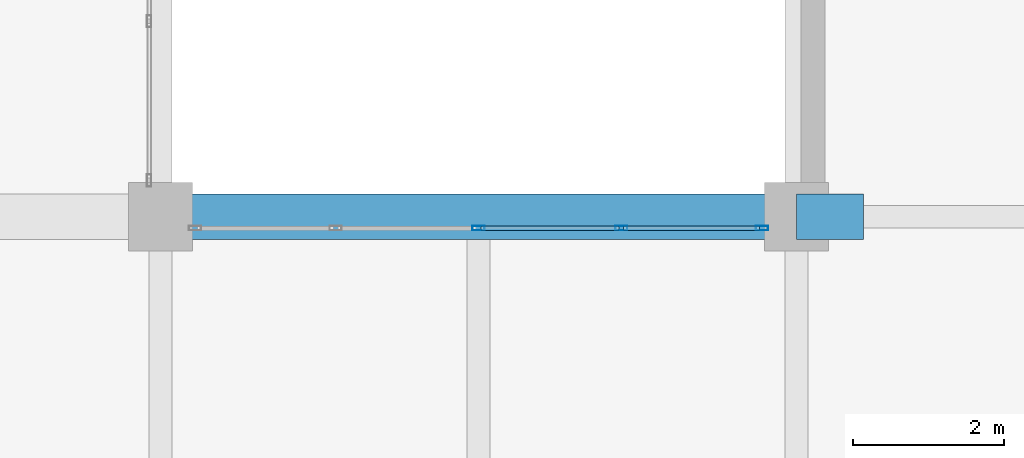
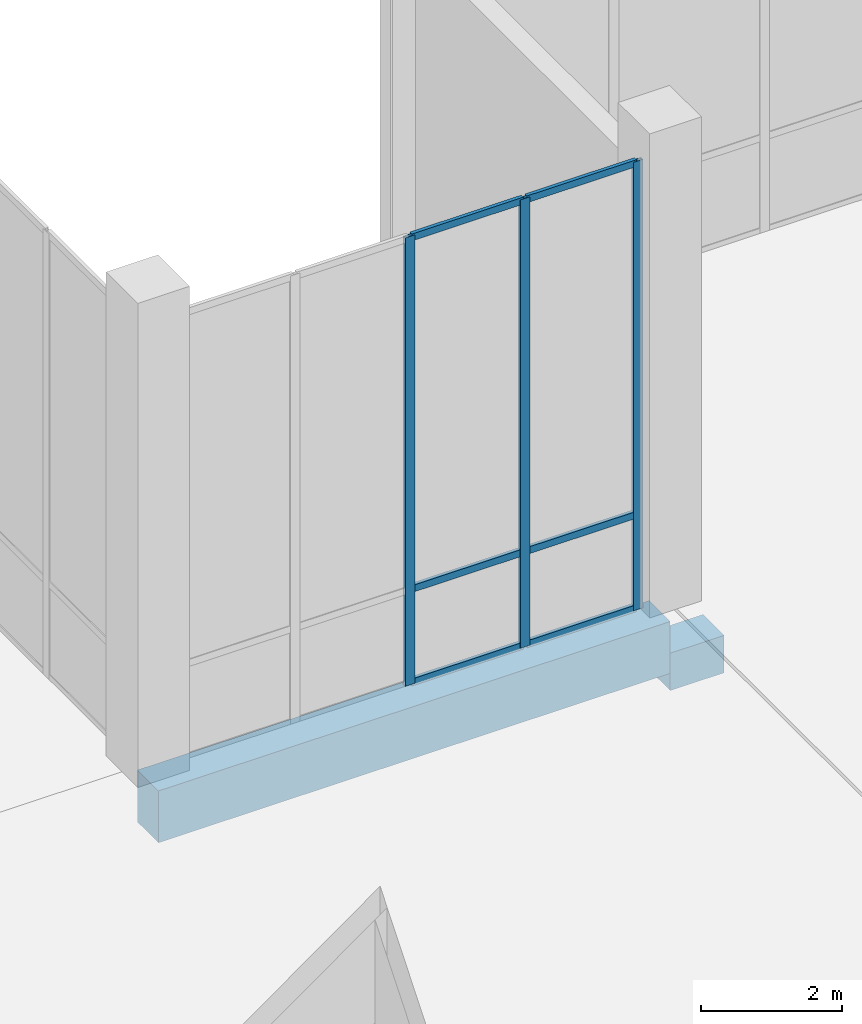
# One storey, part 31 of 131: 9 members, 2 beams, 1 element without a shape of its own.
"""IFC4 building model written with IfcOpenShell, lengths in metres."""

from ifc_helpers import new_model, si_unit, direction, frame, origin, origin_2d, place, context, subcontext, project, spatial, rectangle, hollow_rectangle, extrude, material, material_profile, profile_set, type_object, element, aggregate, save


model = new_model("IFC4")

# Units and contexts
model_context = context("Model", 3, precision=1e-05, world=origin(), true_north=direction((0.0, 1.0)))
body_context = subcontext(model_context, "Body", "Model", "MODEL_VIEW")
ifc_project = project(units=[si_unit("LENGTHUNIT", "METRE"), si_unit("AREAUNIT", "SQUARE_METRE"), si_unit("VOLUMEUNIT", "CUBIC_METRE"), si_unit("PLANEANGLEUNIT", "RADIAN"), si_unit("MASSUNIT", "GRAM", prefix="KILO")], contexts=[model_context])

# Site, building, storey
site_placement = place(None, origin())
site = spatial("IfcSite", under=ifc_project, at=site_placement, CompositionType="ELEMENT")
building_placement = place(site_placement, origin())
building = spatial("IfcBuilding", under=site, at=building_placement, Name="Veltarok Museum of Natural Sciences", CompositionType="ELEMENT")
storey_placement = place(building_placement, origin())
storey = spatial("IfcBuildingStorey", under=building, at=storey_placement, Name="L00", CompositionType="ELEMENT", Elevation=0.0)

# Curtain wall, members
ifc_material_1 = material(Name="Low-iron triple insulated glass", Category="glass")
curtain_wall_type = type_object("IfcCurtainWallType", Name="Curtain Wall System CW-V1CN-L00-0-755x778 (CW-V1CN L00 755x778cm)", PredefinedType="NOTDEFINED", material=ifc_material_1)
curtain_wall_placement = place(storey_placement, origin())
curtain_wall = element("IfcCurtainWall", 1, at=curtain_wall_placement, inside=storey, type_object=curtain_wall_type, Name="Curtain Wall CW-V1CN-L00-0-755x778 CW-0156", PredefinedType="NOTDEFINED")
ifc_material_2 = material(Name="Thermally broken anodised aluminium", Category="aluminium")
ifc_material_profile_1 = material_profile(ifc_material_2, hollow_rectangle(XDim=0.06005859375, YDim=0.1201171875, WallThickness=0.0048828125, at=origin_2d()), Name="CW TRANSOM 60x120x5")
ifc_profile_set_1 = profile_set([ifc_material_profile_1], Name="Thermally broken anodised aluminium")
member_type_1 = type_object("IfcMemberType", Name="Curtain Wall Horizontal Transom 60x120x5", PredefinedType="USERDEFINED", material=ifc_profile_set_1)
member_1_placement = place(storey_placement, frame((106.715087890625, 19.050048828125, 0.028076171875), z_axis=(-1.0, 0.0, 0.0), x_axis=(0.0, -1.0, 0.0)))
member_1 = element("IfcMember", 2, at=member_1_placement, type_object=member_type_1, Name="CW-V1CN-L00-0-755x778 transom 1.1", ObjectType="TRANSOM", PredefinedType="USERDEFINED", context=body_context, shape_type="SweptSolid", body=[
    extrude(hollow_rectangle(XDim=0.06005859375, YDim=0.1201171875, WallThickness=0.0048828125, at=origin_2d()), origin(), (0.0, 0.0, 1.0), 1.797607421875),
])
member_2_placement = place(storey_placement, frame((106.715087890625, 19.050048828125, 1.64794921875), z_axis=(-1.0, 0.0, 0.0), x_axis=(0.0, -1.0, 0.0)))
member_2 = element("IfcMember", 3, at=member_2_placement, type_object=member_type_1, Name="CW-V1CN-L00-0-755x778 transom 1.2", ObjectType="TRANSOM", PredefinedType="USERDEFINED", context=body_context, shape_type="SweptSolid", body=[
    extrude(hollow_rectangle(XDim=0.06005859375, YDim=0.1201171875, WallThickness=0.0048828125, at=origin_2d()), origin(), (0.0, 0.0, 1.0), 1.797607421875),
])
member_3_placement = place(storey_placement, frame((106.715087890625, 19.050048828125, 7.75), z_axis=(-1.0, 0.0, 0.0), x_axis=(0.0, -1.0, 0.0)))
member_3 = element("IfcMember", 4, at=member_3_placement, type_object=member_type_1, Name="CW-V1CN-L00-0-755x778 transom 1.3", ObjectType="TRANSOM", PredefinedType="USERDEFINED", context=body_context, shape_type="SweptSolid", body=[
    extrude(hollow_rectangle(XDim=0.06005859375, YDim=0.1201171875, WallThickness=0.0048828125, at=origin_2d()), origin(), (0.0, 0.0, 1.0), 1.797607421875),
])
member_4_placement = place(storey_placement, frame((104.857421875, 19.050048828125, 0.028076171875), z_axis=(-1.0, 0.0, 0.0), x_axis=(0.0, -1.0, 0.0)))
member_4 = element("IfcMember", 5, at=member_4_placement, type_object=member_type_1, Name="CW-V1CN-L00-0-755x778 transom 2.1", ObjectType="TRANSOM", PredefinedType="USERDEFINED", context=body_context, shape_type="SweptSolid", body=[
    extrude(hollow_rectangle(XDim=0.06005859375, YDim=0.1201171875, WallThickness=0.0048828125, at=origin_2d()), origin(), (0.0, 0.0, 1.0), 1.827392578125),
])
member_5_placement = place(storey_placement, frame((104.857421875, 19.050048828125, 1.64794921875), z_axis=(-1.0, 0.0, 0.0), x_axis=(0.0, -1.0, 0.0)))
member_5 = element("IfcMember", 6, at=member_5_placement, type_object=member_type_1, Name="CW-V1CN-L00-0-755x778 transom 2.2", ObjectType="TRANSOM", PredefinedType="USERDEFINED", context=body_context, shape_type="SweptSolid", body=[
    extrude(hollow_rectangle(XDim=0.06005859375, YDim=0.1201171875, WallThickness=0.0048828125, at=origin_2d()), origin(), (0.0, 0.0, 1.0), 1.827392578125),
])
member_6_placement = place(storey_placement, frame((104.857421875, 19.050048828125, 7.75), z_axis=(-1.0, 0.0, 0.0), x_axis=(0.0, -1.0, 0.0)))
member_6 = element("IfcMember", 7, at=member_6_placement, type_object=member_type_1, Name="CW-V1CN-L00-0-755x778 transom 2.3", ObjectType="TRANSOM", PredefinedType="USERDEFINED", context=body_context, shape_type="SweptSolid", body=[
    extrude(hollow_rectangle(XDim=0.06005859375, YDim=0.1201171875, WallThickness=0.0048828125, at=origin_2d()), origin(), (0.0, 0.0, 1.0), 1.827392578125),
])
ifc_material_profile_2 = material_profile(ifc_material_2, hollow_rectangle(XDim=0.06005859375, YDim=0.159912109375, WallThickness=0.0048828125, at=origin_2d()), Name="CW MULLION 60x160x5")
ifc_profile_set_2 = profile_set([ifc_material_profile_2], Name="Thermally broken anodised aluminium")
member_type_2 = type_object("IfcMemberType", Name="Curtain Wall Vertical Mullion 60x160x5", PredefinedType="MULLION", material=ifc_profile_set_2)
member_7_placement = place(storey_placement, frame((106.7451171875, 19.050048828125, -0.001953125), z_axis=(0.0, 0.0, 1.0), x_axis=(0.0, -1.0, 0.0)))
member_7 = element("IfcMember", 8, at=member_7_placement, type_object=member_type_2, Name="CW-V1CN-L00-0-755x778 mullion 1", PredefinedType="MULLION", context=body_context, shape_type="SweptSolid", body=[
    extrude(hollow_rectangle(XDim=0.06005859375, YDim=0.159912109375, WallThickness=0.0048828125, at=origin_2d()), origin(), (0.0, 0.0, 1.0), 7.781982421875),
])
member_8_placement = place(storey_placement, frame((104.887451171875, 19.050048828125, -0.001953125), z_axis=(0.0, 0.0, 1.0), x_axis=(0.0, -1.0, 0.0)))
member_8 = element("IfcMember", 9, at=member_8_placement, type_object=member_type_2, Name="CW-V1CN-L00-0-755x778 mullion 2", PredefinedType="MULLION", context=body_context, shape_type="SweptSolid", body=[
    extrude(hollow_rectangle(XDim=0.06005859375, YDim=0.159912109375, WallThickness=0.0048828125, at=origin_2d()), origin(), (0.0, 0.0, 1.0), 7.781982421875),
])
member_9_placement = place(storey_placement, frame((103.0, 19.050048828125, -0.001953125), z_axis=(0.0, 0.0, 1.0), x_axis=(0.0, -1.0, 0.0)))
member_9 = element("IfcMember", 10, at=member_9_placement, type_object=member_type_2, Name="CW-V1CN-L00-0-755x778 mullion 3", PredefinedType="MULLION", context=body_context, shape_type="SweptSolid", body=[
    extrude(hollow_rectangle(XDim=0.06005859375, YDim=0.159912109375, WallThickness=0.0048828125, at=origin_2d()), origin(), (0.0, 0.0, 1.0), 7.781982421875),
])
aggregate(curtain_wall, [member_7, member_8, member_9, member_1, member_2, member_3, member_4, member_5, member_6])

# Beams
ifc_material_3 = material(Name="Concrete C40/50", Category="concrete")
ifc_material_profile_3 = material_profile(ifc_material_3, rectangle(XDim=0.60009765625, YDim=0.89990234375, at=origin_2d()), Name="RC 600x900")
ifc_profile_set_3 = profile_set([ifc_material_profile_3], Name="Concrete C40/50")
beam_type_1 = type_object("IfcBeamType", Name="Exposed Cabinet Perimeter Spandrel RC 600x900", PredefinedType="SPANDREL", material=ifc_profile_set_3)
beam_1_placement = place(storey_placement, frame((98.800048828125, 19.199951171875, -0.75), z_axis=(1.0, 0.0, 0.0), x_axis=(0.0, 1.0, 0.0)))
element("IfcBeam", 11, at=beam_1_placement, inside=storey, type_object=beam_type_1, Name="Beam BM-SP01 L00 12-13/C", PredefinedType="SPANDREL", context=body_context, shape_type="SweptSolid", body=[
    extrude(rectangle(XDim=0.60009765625, YDim=0.89990234375, at=origin_2d()), origin(), (0.0, 0.0, 1.0), 8.39990234375),
])
ifc_material_profile_4 = material_profile(ifc_material_3, rectangle(XDim=0.60009765625, YDim=0.64990234375, at=origin_2d()), Name="RC 600x650")
ifc_profile_set_4 = profile_set([ifc_material_profile_4], Name="Concrete C40/50")
beam_type_2 = type_object("IfcBeamType", Name="Movement Joint Sliding Corbel RC 600x650", PredefinedType="BEAM", material=ifc_profile_set_4)
beam_2_placement = place(storey_placement, frame((107.199951171875, 19.199951171875, -1.175048828125), z_axis=(1.0, 0.0, 0.0), x_axis=(0.0, 1.0, 0.0)))
element("IfcBeam", 12, at=beam_2_placement, inside=storey, type_object=beam_type_2, Name="Movement Joint Corbel L00 13/C", PredefinedType="BEAM", context=body_context, shape_type="SweptSolid", body=[
    extrude(rectangle(XDim=0.60009765625, YDim=0.64990234375, at=origin_2d()), origin(), (0.0, 0.0, 1.0), 0.885009765625),
])

save(model, "model.ifc")
